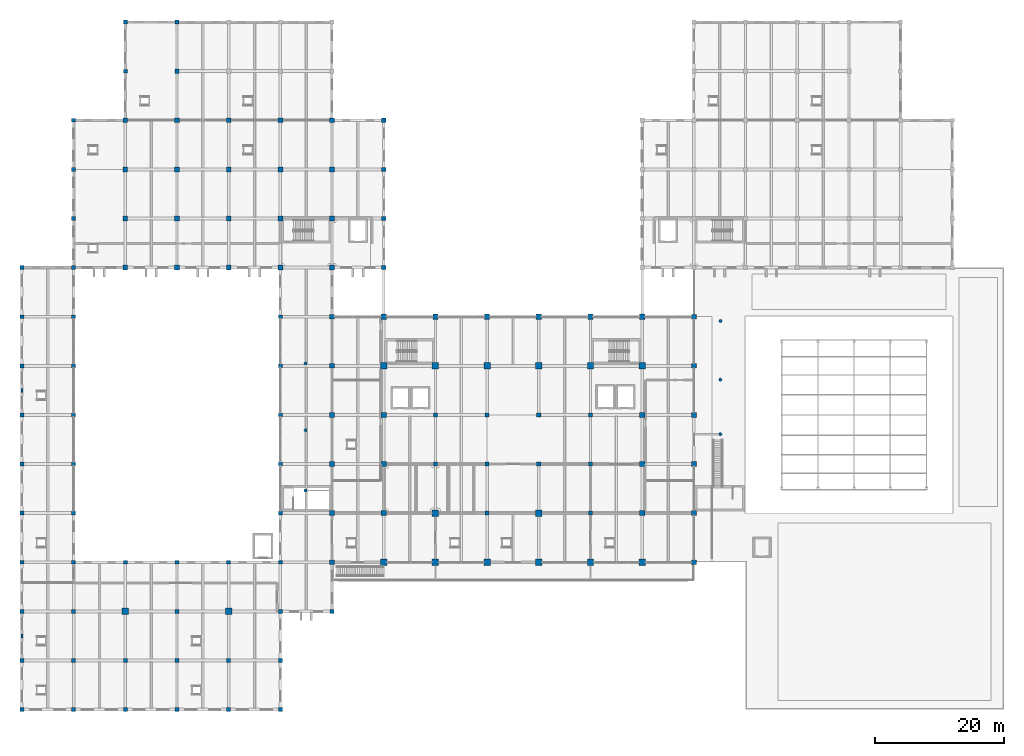
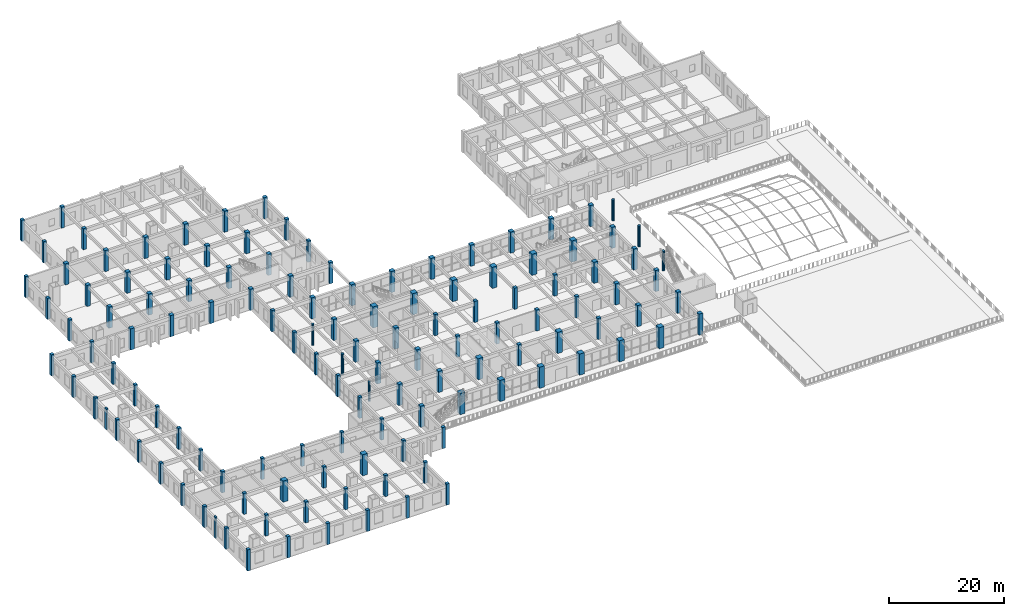
# One storey, part 1 of 79: 129 columns.
"""IFC4 building model written with IfcOpenShell, lengths in metres."""

import ifcopenshell
import ifcopenshell.guid

model = None  # the IFC model being written
_history = None  # IfcOwnerHistory: only IFC2X3 demands one
_inside = {}  # id of a spatial element -> (the spatial element, [elements in it])
_under = {}  # id of a project, library or spatial element -> (it, [spatial elements below it])
_declared = {}  # id of a project -> (the project, [libraries it declares])
_typed = {}  # id of a type object -> (the type object, [elements of that type])
_made_of = {}  # id of a material, layer set ... -> (it, [elements and type objects made of it])


def new_model(schema):
    """Start an empty IFC model of exactly this schema.

    Asked for "IFC4X3", IfcOpenShell would pick the latest addendum, in which some entities
    have other attributes; the version numbers below select the first issue.
    IFC2X3 requires an IfcOwnerHistory on every rooted entity: one is made here for all.
    """
    global model, _history
    if schema == "IFC4X3":
        model = ifcopenshell.file(schema_version=(4, 3, 0, 0))
    else:
        model = ifcopenshell.file(schema=schema)
    _inside.clear()
    _under.clear()
    _declared.clear()
    _typed.clear()
    _made_of.clear()
    _history = None
    if model.schema == "IFC2X3":
        org = make("IfcOrganization", Name="unknown")
        user = make(
            "IfcPersonAndOrganization",
            ThePerson=make("IfcPerson", FamilyName="unknown"),
            TheOrganization=org,
        )
        app = make(
            "IfcApplication",
            ApplicationDeveloper=org,
            Version="unknown",
            ApplicationFullName="unknown",
            ApplicationIdentifier="unknown",
        )
        _history = make(
            "IfcOwnerHistory",
            OwningUser=user,
            OwningApplication=app,
            ChangeAction="ADDED",
            CreationDate=0,
        )
    return model


def make(cls, **values):
    """One entity of the class cls with the attributes given. An attribute that is None is left unset."""
    return model.create_entity(
        cls, **{name: value for name, value in values.items() if value is not None}
    )


def rooted(cls, **values):
    """An entity with a GlobalId (a new one), such as an element, a storey or a relation."""
    return make(cls, GlobalId=ifcopenshell.guid.new(), OwnerHistory=_history, **values)


def si_unit(unit_type, name, prefix=None):
    """IfcSIUnit, for example si_unit("LENGTHUNIT", "METRE", prefix="MILLI")."""
    return make("IfcSIUnit", UnitType=unit_type, Prefix=prefix, Name=name)


def assignment(units):
    """IfcUnitAssignment: the units of a project."""
    return None if units is None else make("IfcUnitAssignment", Units=units)


def point(xyz):
    """IfcCartesianPoint."""
    return None if xyz is None else make("IfcCartesianPoint", Coordinates=xyz)


def direction(xyz):
    """IfcDirection."""
    return None if xyz is None else make("IfcDirection", DirectionRatios=xyz)


def frame(location, z_axis=None, x_axis=None):
    """IfcAxis2Placement3D, a coordinate frame: its origin and axes. An axis left out is left unset."""
    return make(
        "IfcAxis2Placement3D",
        Location=point(location),
        Axis=direction(z_axis),
        RefDirection=direction(x_axis),
    )


def frame_2d(location, x_axis=None):
    """IfcAxis2Placement2D, a coordinate frame in the plane: its origin and x axis."""
    return make(
        "IfcAxis2Placement2D", Location=point(location), RefDirection=direction(x_axis)
    )


def origin():
    """The frame at (0, 0, 0) with its axes left unset."""
    return frame((0.0, 0.0, 0.0))


def origin_2d():
    """The frame at (0, 0) in the plane with its x axis left unset."""
    return frame_2d((0.0, 0.0))


def place(relative_to, where):
    """IfcLocalPlacement: puts the frame where relative to a parent placement (None: the world)."""
    return make(
        "IfcLocalPlacement", PlacementRelTo=relative_to, RelativePlacement=where
    )


def context(
    kind, dimensions, precision=None, world=None, true_north=None, identifier=None
):
    """IfcGeometricRepresentationContext, for example the 3D "Model" context."""
    return make(
        "IfcGeometricRepresentationContext",
        ContextIdentifier=identifier,
        ContextType=kind,
        CoordinateSpaceDimension=dimensions,
        Precision=precision,
        WorldCoordinateSystem=world,
        TrueNorth=true_north,
    )


def subcontext(parent, identifier, kind, view, scale=None):
    """IfcGeometricRepresentationSubContext, for example "Body" below "Model"."""
    return make(
        "IfcGeometricRepresentationSubContext",
        ContextIdentifier=identifier,
        ContextType=kind,
        ParentContext=parent,
        TargetScale=scale,
        TargetView=view,
    )


def project(units=None, contexts=None):
    """IfcProject with its units and contexts."""
    return rooted(
        "IfcProject",
        Name="project",
        RepresentationContexts=contexts,
        UnitsInContext=assignment(units),
    )


def spatial(cls, under=None, at=None, **own):
    """A site, building, storey or space (cls), placed at a placement, below another one or the project."""
    s = rooted(cls, ObjectPlacement=at, **own)
    if under is not None:
        _under.setdefault(under.id(), (under, []))[1].append(s)
    return s


def profile(cls, at=None, kind="AREA", **sizes):
    """A parametric profile (cls). Its sizes go by their IFC names, for example OverallWidth=200.0."""
    return make(cls, ProfileType=kind, Position=at, **sizes)


def rectangle(**sizes):
    """IfcRectangleProfileDef."""
    return profile("IfcRectangleProfileDef", **sizes)


def circle(**sizes):
    """IfcCircleProfileDef."""
    return profile("IfcCircleProfileDef", **sizes)


def extrude(swept, where, along, depth):
    """IfcExtrudedAreaSolid: the profile swept, set in the frame where, extruded along a direction by depth."""
    return make(
        "IfcExtrudedAreaSolid",
        SweptArea=swept,
        Position=where,
        ExtrudedDirection=direction(along),
        Depth=depth,
    )


def shape(context_of_items, identifier, shape_type, items):
    """IfcShapeRepresentation: the items that make up one representation, for example the "Body"."""
    return make(
        "IfcShapeRepresentation",
        ContextOfItems=context_of_items,
        RepresentationIdentifier=identifier,
        RepresentationType=shape_type,
        Items=items,
    )


def material(Name=None, Category=None):
    """IfcMaterial."""
    return make("IfcMaterial", Name=Name, Category=Category)


def material_profile(
    of_material, cross_section, Name=None, Category=None, Priority=None
):
    """IfcMaterialProfile: a cross section and its material."""
    return make(
        "IfcMaterialProfile",
        Name=Name,
        Material=of_material,
        Profile=cross_section,
        Priority=Priority,
        Category=Category,
    )


def profile_set(profiles, Name=None, composite=None):
    """IfcMaterialProfileSet."""
    return make(
        "IfcMaterialProfileSet",
        Name=Name,
        MaterialProfiles=profiles,
        CompositeProfile=composite,
    )


def made_of(thing, what):
    """Note that an element or type object is made of a material, layer set ...; save() writes the relation."""
    if what is not None:
        _made_of.setdefault(what.id(), (what, []))[1].append(thing)
    return thing


def type_object(cls, material=None, **own):
    """A type object (cls), such as IfcWallType, which elements share."""
    return made_of(rooted(cls, **own), material)


def element(
    cls,
    number,
    at=None,
    inside=None,
    cuts=None,
    type_object=None,
    material=None,
    context=None,
    identifier="Body",
    shape_type=None,
    held_by="IfcProductDefinitionShape",
    body=None,
    shapes=None,
    **own,
):
    """One element of the class cls, such as IfcWall. Its Tag is "e" and its number.

    at: its placement. inside: the storey or other place that contains it. cuts: it is an
    opening in that element (IfcRelVoidsElement). A single representation is given by context,
    identifier, shape_type and body (its items); several are given by shapes. held_by: the class
    of the entity that holds the representations. save() writes the other relations.
    """
    e = rooted(cls, Tag="e%d" % number, ObjectPlacement=at, **own)
    if body is not None:
        shapes = [shape(context, identifier, shape_type, body)]
    if shapes is not None:
        e.Representation = make(held_by, Representations=shapes)
    if inside is not None:
        _inside.setdefault(inside.id(), (inside, []))[1].append(e)
    if cuts is not None:
        rooted(
            "IfcRelVoidsElement", RelatingBuildingElement=cuts, RelatedOpeningElement=e
        )
    if type_object is not None:
        _typed.setdefault(type_object.id(), (type_object, []))[1].append(e)
    return made_of(e, material)


def aggregate(whole, parts):
    """IfcRelAggregates: a whole, such as a stair, and the parts it consists of."""
    return rooted("IfcRelAggregates", RelatingObject=whole, RelatedObjects=parts)


def save(model, path):
    """Write the relations noted so far, then the file.

    IfcRelAggregates (storeys below a building ...), IfcRelContainedInSpatialStructure (elements
    in a storey), IfcRelDefinesByType, IfcRelAssociatesMaterial and IfcRelDeclares: one each for
    every whole, place, type object, material and project.
    """
    for whole, parts in _under.values():
        aggregate(whole, parts)
    for where, things in _inside.values():
        rooted(
            "IfcRelContainedInSpatialStructure",
            RelatedElements=things,
            RelatingStructure=where,
        )
    for kind, things in _typed.values():
        rooted("IfcRelDefinesByType", RelatedObjects=things, RelatingType=kind)
    for what, things in _made_of.values():
        rooted("IfcRelAssociatesMaterial", RelatedObjects=things, RelatingMaterial=what)
    for by, libraries in _declared.values():
        rooted("IfcRelDeclares", RelatingContext=by, RelatedDefinitions=libraries)
    model.write(path)


model = new_model("IFC4")

# Units and contexts
model_context = context("Model", 3, precision=1e-05, world=origin(), true_north=direction((0.0, 1.0)))
body_context = subcontext(model_context, "Body", "Model", "MODEL_VIEW")
ifc_project = project(units=[si_unit("LENGTHUNIT", "METRE"), si_unit("AREAUNIT", "SQUARE_METRE"), si_unit("VOLUMEUNIT", "CUBIC_METRE"), si_unit("PLANEANGLEUNIT", "RADIAN"), si_unit("MASSUNIT", "GRAM", prefix="KILO")], contexts=[model_context])

# Site, building, storey
site_placement = place(None, origin())
site = spatial("IfcSite", under=ifc_project, at=site_placement, CompositionType="ELEMENT")
building_placement = place(site_placement, origin())
building = spatial("IfcBuilding", under=site, at=building_placement, Name="Zantavel Square City Hall", CompositionType="ELEMENT")
storey_placement = place(building_placement, frame((0.0, 0.0, 10.199951171875)))
storey = spatial("IfcBuildingStorey", under=building, at=storey_placement, Name="L03", CompositionType="ELEMENT", Elevation=10.199951171875)

# Columns
ifc_material = material(Name="Concrete C40/50", Category="concrete")
ifc_material_profile_1 = material_profile(ifc_material, rectangle(XDim=0.60009765625, YDim=0.35009765625, at=origin_2d()), Name="RC 600x350")
ifc_profile_set_1 = profile_set([ifc_material_profile_1], Name="Concrete C40/50")
column_type_1 = type_object("IfcColumnType", Name="Colossal Facade Pilaster 600x350 C40/50", PredefinedType="PILASTER", material=ifc_profile_set_1)
for number, where, z_axis, x_axis, name in (
    (1, (8.0, 19.0, 0.0), (0.0, 0.0, 1.0), (0.0, 1.0, 0.0), "L03 Facade Pilaster PIL-L03-0080-0190"),
    (2, (8.0, 57.0, 0.0), (0.0, 0.0, 1.0), (0.0, 1.0, 0.0), "L03 Facade Pilaster PIL-L03-0080-0570"),
):
    element("IfcColumn", number, at=place(storey_placement, frame(where, z_axis=z_axis, x_axis=x_axis)), inside=storey, type_object=column_type_1, Name=name, PredefinedType="PILASTER", context=body_context, shape_type="SweptSolid", body=[
        extrude(rectangle(XDim=0.60009765625, YDim=0.35009765625, at=origin_2d()), origin(), (0.0, 0.0, 1.0), 4.5),
    ])
ifc_material_profile_2 = material_profile(ifc_material, rectangle(XDim=1.0, YDim=1.0, at=origin_2d()), Name="RC 1000x1000")
ifc_profile_set_2 = profile_set([ifc_material_profile_2], Name="Concrete C40/50")
column_type_2 = type_object("IfcColumnType", Name="Column RC 1000x1000 C40/50", PredefinedType="COLUMN", material=ifc_profile_set_2)
for number, where, z_axis, x_axis, name in (
    (3, (24.0, 22.800048828125, 0.0), (0.0, 0.0, 1.0), (1.0, 0.0, 0.0), "L03 Column COL-L03-0240-0228"),
    (4, (40.0, 22.800048828125, 0.0), (0.0, 0.0, 1.0), (1.0, 0.0, 0.0), "L03 Column COL-L03-0400-0228"),
    (5, (64.0, 30.39990234375, 0.0), (0.0, 0.0, 1.0), (1.0, 0.0, 0.0), "L03 Column COL-L03-0640-0304"),
    (6, (64.0, 60.800048828125, 0.0), (0.0, 0.0, 1.0), (1.0, 0.0, 0.0), "L03 Column COL-L03-0640-0608"),
    (7, (72.0, 30.39990234375, 0.0), (0.0, 0.0, 1.0), (1.0, 0.0, 0.0), "L03 Column COL-L03-0720-0304"),
    (8, (72.0, 38.0, 0.0), (0.0, 0.0, 1.0), (1.0, 0.0, 0.0), "L03 Column COL-L03-0720-0380"),
    (9, (72.0, 60.800048828125, 0.0), (0.0, 0.0, 1.0), (1.0, 0.0, 0.0), "L03 Column COL-L03-0720-0608"),
    (10, (80.0, 30.39990234375, 0.0), (0.0, 0.0, 1.0), (1.0, 0.0, 0.0), "L03 Column COL-L03-0800-0304"),
    (11, (80.0, 60.800048828125, 0.0), (0.0, 0.0, 1.0), (1.0, 0.0, 0.0), "L03 Column COL-L03-0800-0608"),
    (12, (88.0, 30.39990234375, 0.0), (0.0, 0.0, 1.0), (1.0, 0.0, 0.0), "L03 Column COL-L03-0880-0304"),
    (13, (88.0, 38.0, 0.0), (0.0, 0.0, 1.0), (1.0, 0.0, 0.0), "L03 Column COL-L03-0880-0380"),
    (14, (88.0, 60.800048828125, 0.0), (0.0, 0.0, 1.0), (1.0, 0.0, 0.0), "L03 Column COL-L03-0880-0608"),
    (15, (96.0, 30.39990234375, 0.0), (0.0, 0.0, 1.0), (1.0, 0.0, 0.0), "L03 Column COL-L03-0960-0304"),
    (16, (96.0, 60.800048828125, 0.0), (0.0, 0.0, 1.0), (1.0, 0.0, 0.0), "L03 Column COL-L03-0960-0608"),
    (17, (104.0, 30.39990234375, 0.0), (0.0, 0.0, 1.0), (1.0, 0.0, 0.0), "L03 Column COL-L03-1040-0304"),
    (18, (104.0, 60.800048828125, 0.0), (0.0, 0.0, 1.0), (1.0, 0.0, 0.0), "L03 Column COL-L03-1040-0608"),
):
    element("IfcColumn", number, at=place(storey_placement, frame(where, z_axis=z_axis, x_axis=x_axis)), inside=storey, type_object=column_type_2, Name=name, PredefinedType="COLUMN", context=body_context, shape_type="SweptSolid", body=[
        extrude(rectangle(XDim=1.0, YDim=1.0, at=origin_2d()), origin(), (0.0, 0.0, 1.0), 4.5),
    ])
ifc_material_profile_3 = material_profile(ifc_material, rectangle(XDim=0.60009765625, YDim=0.60009765625, at=origin_2d()), Name="RC 600x600")
ifc_profile_set_3 = profile_set([ifc_material_profile_3], Name="Concrete C40/50")
column_type_3 = type_object("IfcColumnType", Name="Column RC 600x600 C40/50", PredefinedType="COLUMN", material=ifc_profile_set_3)
for number, where, z_axis, x_axis, name in (
    (19, (8.0, 7.60009765625, 0.0), (0.0, 0.0, 1.0), (1.0, 0.0, 0.0), "L03 Column COL-L03-0080-0076"),
    (20, (8.0, 15.199951171875, 0.0), (0.0, 0.0, 1.0), (1.0, 0.0, 0.0), "L03 Column COL-L03-0080-0152"),
    (21, (8.0, 22.800048828125, 0.0), (0.0, 0.0, 1.0), (1.0, 0.0, 0.0), "L03 Column COL-L03-0080-0228"),
    (22, (8.0, 30.39990234375, 0.0), (0.0, 0.0, 1.0), (1.0, 0.0, 0.0), "L03 Column COL-L03-0080-0304"),
    (23, (8.0, 38.0, 0.0), (0.0, 0.0, 1.0), (1.0, 0.0, 0.0), "L03 Column COL-L03-0080-0380"),
    (24, (8.0, 45.60009765625, 0.0), (0.0, 0.0, 1.0), (1.0, 0.0, 0.0), "L03 Column COL-L03-0080-0456"),
    (25, (8.0, 53.199951171875, 0.0), (0.0, 0.0, 1.0), (1.0, 0.0, 0.0), "L03 Column COL-L03-0080-0532"),
    (26, (8.0, 60.800048828125, 0.0), (0.0, 0.0, 1.0), (1.0, 0.0, 0.0), "L03 Column COL-L03-0080-0608"),
    (27, (8.0, 68.39990234375, 0.0), (0.0, 0.0, 1.0), (1.0, 0.0, 0.0), "L03 Column COL-L03-0080-0684"),
    (28, (8.0, 76.0, 0.0), (0.0, 0.0, 1.0), (1.0, 0.0, 0.0), "L03 Column COL-L03-0080-0760"),
    (29, (16.0, 7.60009765625, 0.0), (0.0, 0.0, 1.0), (1.0, 0.0, 0.0), "L03 Column COL-L03-0160-0076"),
    (30, (16.0, 15.199951171875, 0.0), (0.0, 0.0, 1.0), (1.0, 0.0, 0.0), "L03 Column COL-L03-0160-0152"),
    (31, (16.0, 22.800048828125, 0.0), (0.0, 0.0, 1.0), (1.0, 0.0, 0.0), "L03 Column COL-L03-0160-0228"),
    (32, (16.0, 30.39990234375, 0.0), (0.0, 0.0, 1.0), (1.0, 0.0, 0.0), "L03 Column COL-L03-0160-0304"),
    (33, (16.0, 38.0, 0.0), (0.0, 0.0, 1.0), (1.0, 0.0, 0.0), "L03 Column COL-L03-0160-0380"),
    (34, (16.0, 45.60009765625, 0.0), (0.0, 0.0, 1.0), (1.0, 0.0, 0.0), "L03 Column COL-L03-0160-0456"),
    (35, (16.0, 53.199951171875, 0.0), (0.0, 0.0, 1.0), (1.0, 0.0, 0.0), "L03 Column COL-L03-0160-0532"),
    (36, (16.0, 60.800048828125, 0.0), (0.0, 0.0, 1.0), (1.0, 0.0, 0.0), "L03 Column COL-L03-0160-0608"),
    (37, (16.0, 68.39990234375, 0.0), (0.0, 0.0, 1.0), (1.0, 0.0, 0.0), "L03 Column COL-L03-0160-0684"),
    (38, (16.0, 76.0, 0.0), (0.0, 0.0, 1.0), (1.0, 0.0, 0.0), "L03 Column COL-L03-0160-0760"),
    (39, (16.0, 83.60009765625, 0.0), (0.0, 0.0, 1.0), (1.0, 0.0, 0.0), "L03 Column COL-L03-0160-0836"),
    (40, (16.0, 91.199951171875, 0.0), (0.0, 0.0, 1.0), (1.0, 0.0, 0.0), "L03 Column COL-L03-0160-0912"),
    (41, (16.0, 98.800048828125, 0.0), (0.0, 0.0, 1.0), (1.0, 0.0, 0.0), "L03 Column COL-L03-0160-0988"),
    (42, (24.0, 7.60009765625, 0.0), (0.0, 0.0, 1.0), (1.0, 0.0, 0.0), "L03 Column COL-L03-0240-0076"),
    (43, (24.0, 15.199951171875, 0.0), (0.0, 0.0, 1.0), (1.0, 0.0, 0.0), "L03 Column COL-L03-0240-0152"),
    (44, (24.0, 30.39990234375, 0.0), (0.0, 0.0, 1.0), (1.0, 0.0, 0.0), "L03 Column COL-L03-0240-0304"),
    (45, (24.0, 106.39990234375, 0.0), (0.0, 0.0, 1.0), (1.0, 0.0, 0.0), "L03 Column COL-L03-0240-1064"),
    (46, (24.0, 114.0, 0.0), (0.0, 0.0, 1.0), (1.0, 0.0, 0.0), "L03 Column COL-L03-0240-1140"),
    (47, (32.0, 7.60009765625, 0.0), (0.0, 0.0, 1.0), (1.0, 0.0, 0.0), "L03 Column COL-L03-0320-0076"),
    (48, (32.0, 15.199951171875, 0.0), (0.0, 0.0, 1.0), (1.0, 0.0, 0.0), "L03 Column COL-L03-0320-0152"),
    (49, (32.0, 22.800048828125, 0.0), (0.0, 0.0, 1.0), (1.0, 0.0, 0.0), "L03 Column COL-L03-0320-0228"),
    (50, (32.0, 30.39990234375, 0.0), (0.0, 0.0, 1.0), (1.0, 0.0, 0.0), "L03 Column COL-L03-0320-0304"),
    (51, (40.0, 7.60009765625, 0.0), (0.0, 0.0, 1.0), (1.0, 0.0, 0.0), "L03 Column COL-L03-0400-0076"),
    (52, (40.0, 15.199951171875, 0.0), (0.0, 0.0, 1.0), (1.0, 0.0, 0.0), "L03 Column COL-L03-0400-0152"),
    (53, (40.0, 30.39990234375, 0.0), (0.0, 0.0, 1.0), (1.0, 0.0, 0.0), "L03 Column COL-L03-0400-0304"),
    (54, (48.0, 7.60009765625, 0.0), (0.0, 0.0, 1.0), (1.0, 0.0, 0.0), "L03 Column COL-L03-0480-0076"),
    (55, (48.0, 15.199951171875, 0.0), (0.0, 0.0, 1.0), (1.0, 0.0, 0.0), "L03 Column COL-L03-0480-0152"),
    (56, (48.0, 22.800048828125, 0.0), (0.0, 0.0, 1.0), (1.0, 0.0, 0.0), "L03 Column COL-L03-0480-0228"),
    (57, (48.0, 30.39990234375, 0.0), (0.0, 0.0, 1.0), (1.0, 0.0, 0.0), "L03 Column COL-L03-0480-0304"),
    (58, (48.0, 38.0, 0.0), (0.0, 0.0, 1.0), (1.0, 0.0, 0.0), "L03 Column COL-L03-0480-0380"),
    (59, (48.0, 45.60009765625, 0.0), (0.0, 0.0, 1.0), (1.0, 0.0, 0.0), "L03 Column COL-L03-0480-0456"),
    (60, (48.0, 53.199951171875, 0.0), (0.0, 0.0, 1.0), (1.0, 0.0, 0.0), "L03 Column COL-L03-0480-0532"),
    (61, (48.0, 60.800048828125, 0.0), (0.0, 0.0, 1.0), (1.0, 0.0, 0.0), "L03 Column COL-L03-0480-0608"),
    (62, (48.0, 68.39990234375, 0.0), (0.0, 0.0, 1.0), (1.0, 0.0, 0.0), "L03 Column COL-L03-0480-0684"),
    (63, (56.0, 22.800048828125, 0.0), (0.0, 0.0, 1.0), (1.0, 0.0, 0.0), "L03 Column COL-L03-0560-0228"),
):
    element("IfcColumn", number, at=place(storey_placement, frame(where, z_axis=z_axis, x_axis=x_axis)), inside=storey, type_object=column_type_3, Name=name, PredefinedType="COLUMN", context=body_context, shape_type="SweptSolid", body=[
        extrude(rectangle(XDim=0.60009765625, YDim=0.60009765625, at=origin_2d()), origin(), (0.0, 0.0, 1.0), 4.5),
    ])
ifc_material_profile_4 = material_profile(ifc_material, rectangle(XDim=0.64990234375, YDim=0.64990234375, at=origin_2d()), Name="RC 650x650")
ifc_profile_set_4 = profile_set([ifc_material_profile_4], Name="Concrete C40/50")
column_type_4 = type_object("IfcColumnType", Name="Column RC 650x650 C40/50", PredefinedType="COLUMN", material=ifc_profile_set_4)
for number, where, z_axis, x_axis, name in (
    (64, (32.0, 106.39990234375, 0.0), (0.0, 0.0, 1.0), (1.0, 0.0, 0.0), "L03 Column COL-L03-0320-1064"),
    (65, (32.0, 114.0, 0.0), (0.0, 0.0, 1.0), (1.0, 0.0, 0.0), "L03 Column COL-L03-0320-1140"),
    (66, (64.0, 76.0, 0.0), (0.0, 0.0, 1.0), (1.0, 0.0, 0.0), "L03 Column COL-L03-0640-0760"),
    (67, (64.0, 83.60009765625, 0.0), (0.0, 0.0, 1.0), (1.0, 0.0, 0.0), "L03 Column COL-L03-0640-0836"),
    (68, (64.0, 91.199951171875, 0.0), (0.0, 0.0, 1.0), (1.0, 0.0, 0.0), "L03 Column COL-L03-0640-0912"),
    (69, (64.0, 98.800048828125, 0.0), (0.0, 0.0, 1.0), (1.0, 0.0, 0.0), "L03 Column COL-L03-0640-0988"),
    (70, (72.0, 45.60009765625, 0.0), (0.0, 0.0, 1.0), (1.0, 0.0, 0.0), "L03 Column COL-L03-0720-0456"),
    (71, (72.0, 53.199951171875, 0.0), (0.0, 0.0, 1.0), (1.0, 0.0, 0.0), "L03 Column COL-L03-0720-0532"),
    (72, (80.0, 38.0, 0.0), (0.0, 0.0, 1.0), (1.0, 0.0, 0.0), "L03 Column COL-L03-0800-0380"),
    (73, (80.0, 45.60009765625, 0.0), (0.0, 0.0, 1.0), (1.0, 0.0, 0.0), "L03 Column COL-L03-0800-0456"),
    (74, (80.0, 53.199951171875, 0.0), (0.0, 0.0, 1.0), (1.0, 0.0, 0.0), "L03 Column COL-L03-0800-0532"),
    (75, (88.0, 45.60009765625, 0.0), (0.0, 0.0, 1.0), (1.0, 0.0, 0.0), "L03 Column COL-L03-0880-0456"),
    (76, (88.0, 53.199951171875, 0.0), (0.0, 0.0, 1.0), (1.0, 0.0, 0.0), "L03 Column COL-L03-0880-0532"),
    (77, (96.0, 38.0, 0.0), (0.0, 0.0, 1.0), (1.0, 0.0, 0.0), "L03 Column COL-L03-0960-0380"),
    (78, (96.0, 45.60009765625, 0.0), (0.0, 0.0, 1.0), (1.0, 0.0, 0.0), "L03 Column COL-L03-0960-0456"),
    (79, (96.0, 53.199951171875, 0.0), (0.0, 0.0, 1.0), (1.0, 0.0, 0.0), "L03 Column COL-L03-0960-0532"),
):
    element("IfcColumn", number, at=place(storey_placement, frame(where, z_axis=z_axis, x_axis=x_axis)), inside=storey, type_object=column_type_4, Name=name, PredefinedType="COLUMN", context=body_context, shape_type="SweptSolid", body=[
        extrude(rectangle(XDim=0.64990234375, YDim=0.64990234375, at=origin_2d()), origin(), (0.0, 0.0, 1.0), 4.5),
    ])
ifc_material_profile_5 = material_profile(ifc_material, rectangle(XDim=0.75, YDim=0.75, at=origin_2d()), Name="RC 750x750")
ifc_profile_set_5 = profile_set([ifc_material_profile_5], Name="Concrete C40/50")
column_type_5 = type_object("IfcColumnType", Name="Column RC 750x750 C40/50", PredefinedType="COLUMN", material=ifc_profile_set_5)
for number, where, z_axis, x_axis, name in (
    (80, (24.0, 76.0, 0.0), (0.0, 0.0, 1.0), (1.0, 0.0, 0.0), "L03 Column COL-L03-0240-0760"),
    (81, (24.0, 83.60009765625, 0.0), (0.0, 0.0, 1.0), (1.0, 0.0, 0.0), "L03 Column COL-L03-0240-0836"),
    (82, (24.0, 91.199951171875, 0.0), (0.0, 0.0, 1.0), (1.0, 0.0, 0.0), "L03 Column COL-L03-0240-0912"),
    (83, (24.0, 98.800048828125, 0.0), (0.0, 0.0, 1.0), (1.0, 0.0, 0.0), "L03 Column COL-L03-0240-0988"),
    (84, (32.0, 76.0, 0.0), (0.0, 0.0, 1.0), (1.0, 0.0, 0.0), "L03 Column COL-L03-0320-0760"),
    (85, (32.0, 83.60009765625, 0.0), (0.0, 0.0, 1.0), (1.0, 0.0, 0.0), "L03 Column COL-L03-0320-0836"),
    (86, (32.0, 91.199951171875, 0.0), (0.0, 0.0, 1.0), (1.0, 0.0, 0.0), "L03 Column COL-L03-0320-0912"),
    (87, (32.0, 98.800048828125, 0.0), (0.0, 0.0, 1.0), (1.0, 0.0, 0.0), "L03 Column COL-L03-0320-0988"),
    (88, (40.0, 76.0, 0.0), (0.0, 0.0, 1.0), (1.0, 0.0, 0.0), "L03 Column COL-L03-0400-0760"),
    (89, (40.0, 83.60009765625, 0.0), (0.0, 0.0, 1.0), (1.0, 0.0, 0.0), "L03 Column COL-L03-0400-0836"),
    (90, (40.0, 91.199951171875, 0.0), (0.0, 0.0, 1.0), (1.0, 0.0, 0.0), "L03 Column COL-L03-0400-0912"),
    (91, (40.0, 98.800048828125, 0.0), (0.0, 0.0, 1.0), (1.0, 0.0, 0.0), "L03 Column COL-L03-0400-0988"),
    (92, (48.0, 76.0, 0.0), (0.0, 0.0, 1.0), (1.0, 0.0, 0.0), "L03 Column COL-L03-0480-0760"),
    (93, (48.0, 83.60009765625, 0.0), (0.0, 0.0, 1.0), (1.0, 0.0, 0.0), "L03 Column COL-L03-0480-0836"),
    (94, (48.0, 91.199951171875, 0.0), (0.0, 0.0, 1.0), (1.0, 0.0, 0.0), "L03 Column COL-L03-0480-0912"),
    (95, (48.0, 98.800048828125, 0.0), (0.0, 0.0, 1.0), (1.0, 0.0, 0.0), "L03 Column COL-L03-0480-0988"),
    (96, (56.0, 30.39990234375, 0.0), (0.0, 0.0, 1.0), (1.0, 0.0, 0.0), "L03 Column COL-L03-0560-0304"),
    (97, (56.0, 38.0, 0.0), (0.0, 0.0, 1.0), (1.0, 0.0, 0.0), "L03 Column COL-L03-0560-0380"),
    (98, (56.0, 45.60009765625, 0.0), (0.0, 0.0, 1.0), (1.0, 0.0, 0.0), "L03 Column COL-L03-0560-0456"),
    (99, (56.0, 53.199951171875, 0.0), (0.0, 0.0, 1.0), (1.0, 0.0, 0.0), "L03 Column COL-L03-0560-0532"),
    (100, (56.0, 60.800048828125, 0.0), (0.0, 0.0, 1.0), (1.0, 0.0, 0.0), "L03 Column COL-L03-0560-0608"),
    (101, (56.0, 68.39990234375, 0.0), (0.0, 0.0, 1.0), (1.0, 0.0, 0.0), "L03 Column COL-L03-0560-0684"),
    (102, (56.0, 76.0, 0.0), (0.0, 0.0, 1.0), (1.0, 0.0, 0.0), "L03 Column COL-L03-0560-0760"),
    (103, (56.0, 83.60009765625, 0.0), (0.0, 0.0, 1.0), (1.0, 0.0, 0.0), "L03 Column COL-L03-0560-0836"),
    (104, (56.0, 91.199951171875, 0.0), (0.0, 0.0, 1.0), (1.0, 0.0, 0.0), "L03 Column COL-L03-0560-0912"),
    (105, (56.0, 98.800048828125, 0.0), (0.0, 0.0, 1.0), (1.0, 0.0, 0.0), "L03 Column COL-L03-0560-0988"),
    (106, (112.0, 30.39990234375, 0.0), (0.0, 0.0, 1.0), (1.0, 0.0, 0.0), "L03 Column COL-L03-1120-0304"),
    (107, (112.0, 38.0, 0.0), (0.0, 0.0, 1.0), (1.0, 0.0, 0.0), "L03 Column COL-L03-1120-0380"),
    (108, (112.0, 45.60009765625, 0.0), (0.0, 0.0, 1.0), (1.0, 0.0, 0.0), "L03 Column COL-L03-1120-0456"),
    (109, (112.0, 53.199951171875, 0.0), (0.0, 0.0, 1.0), (1.0, 0.0, 0.0), "L03 Column COL-L03-1120-0532"),
    (110, (112.0, 60.800048828125, 0.0), (0.0, 0.0, 1.0), (1.0, 0.0, 0.0), "L03 Column COL-L03-1120-0608"),
    (111, (112.0, 68.39990234375, 0.0), (0.0, 0.0, 1.0), (1.0, 0.0, 0.0), "L03 Column COL-L03-1120-0684"),
):
    element("IfcColumn", number, at=place(storey_placement, frame(where, z_axis=z_axis, x_axis=x_axis)), inside=storey, type_object=column_type_5, Name=name, PredefinedType="COLUMN", context=body_context, shape_type="SweptSolid", body=[
        extrude(rectangle(XDim=0.75, YDim=0.75, at=origin_2d()), origin(), (0.0, 0.0, 1.0), 4.5),
    ])
ifc_material_profile_6 = material_profile(ifc_material, rectangle(XDim=0.800048828125, YDim=0.800048828125, at=origin_2d()), Name="RC 800x800")
ifc_profile_set_6 = profile_set([ifc_material_profile_6], Name="Concrete C40/50")
column_type_6 = type_object("IfcColumnType", Name="Column RC 800x800 C40/50", PredefinedType="COLUMN", material=ifc_profile_set_6)
for number, where, z_axis, x_axis, name in (
    (112, (64.0, 38.0, 0.0), (0.0, 0.0, 1.0), (1.0, 0.0, 0.0), "L03 Column COL-L03-0640-0380"),
    (113, (64.0, 45.60009765625, 0.0), (0.0, 0.0, 1.0), (1.0, 0.0, 0.0), "L03 Column COL-L03-0640-0456"),
    (114, (64.0, 53.199951171875, 0.0), (0.0, 0.0, 1.0), (1.0, 0.0, 0.0), "L03 Column COL-L03-0640-0532"),
    (115, (64.0, 68.39990234375, 0.0), (0.0, 0.0, 1.0), (1.0, 0.0, 0.0), "L03 Column COL-L03-0640-0684"),
    (116, (72.0, 68.39990234375, 0.0), (0.0, 0.0, 1.0), (1.0, 0.0, 0.0), "L03 Column COL-L03-0720-0684"),
    (117, (80.0, 68.39990234375, 0.0), (0.0, 0.0, 1.0), (1.0, 0.0, 0.0), "L03 Column COL-L03-0800-0684"),
    (118, (88.0, 68.39990234375, 0.0), (0.0, 0.0, 1.0), (1.0, 0.0, 0.0), "L03 Column COL-L03-0880-0684"),
    (119, (96.0, 68.39990234375, 0.0), (0.0, 0.0, 1.0), (1.0, 0.0, 0.0), "L03 Column COL-L03-0960-0684"),
    (120, (104.0, 38.0, 0.0), (0.0, 0.0, 1.0), (1.0, 0.0, 0.0), "L03 Column COL-L03-1040-0380"),
    (121, (104.0, 45.60009765625, 0.0), (0.0, 0.0, 1.0), (1.0, 0.0, 0.0), "L03 Column COL-L03-1040-0456"),
    (122, (104.0, 53.199951171875, 0.0), (0.0, 0.0, 1.0), (1.0, 0.0, 0.0), "L03 Column COL-L03-1040-0532"),
    (123, (104.0, 68.39990234375, 0.0), (0.0, 0.0, 1.0), (1.0, 0.0, 0.0), "L03 Column COL-L03-1040-0684"),
):
    element("IfcColumn", number, at=place(storey_placement, frame(where, z_axis=z_axis, x_axis=x_axis)), inside=storey, type_object=column_type_6, Name=name, PredefinedType="COLUMN", context=body_context, shape_type="SweptSolid", body=[
        extrude(rectangle(XDim=0.800048828125, YDim=0.800048828125, at=origin_2d()), origin(), (0.0, 0.0, 1.0), 4.5),
    ])
ifc_material_profile_7 = material_profile(ifc_material, circle(Radius=0.25, at=origin_2d()), Name="ROUND D500")
ifc_profile_set_7 = profile_set([ifc_material_profile_7], Name="Concrete C40/50")
column_type_7 = type_object("IfcColumnType", Name="Portico Canopy Classical Column D500 C40/50", PredefinedType="COLUMN", material=ifc_profile_set_7)
column_1_placement = place(storey_placement, frame((116.10009765625, 50.22509765625, 0.0), z_axis=(0.0, 0.0, 1.0), x_axis=(1.0, 0.0, 0.0)))
element("IfcColumn", 124, at=column_1_placement, inside=storey, type_object=column_type_7, Name="L03 Terrace Stair Loggia Column 1", PredefinedType="COLUMN", context=body_context, shape_type="SweptSolid", body=[
    extrude(circle(Radius=0.25, at=origin_2d()), origin(), (0.0, 0.0, 1.0), 4.219970703125),
])
for number, where, z_axis, x_axis, name in (
    (125, (116.10009765625, 58.659912109375, 0.0), (0.0, 0.0, 1.0), (1.0, 0.0, 0.0), "L03 Terrace Stair Loggia Column 2"),
    (126, (116.10009765625, 67.7451171875, 0.0), (0.0, 0.0, 1.0), (1.0, 0.0, 0.0), "L03 Terrace Stair Loggia Column 3"),
):
    element("IfcColumn", number, at=place(storey_placement, frame(where, z_axis=z_axis, x_axis=x_axis)), inside=storey, type_object=column_type_7, Name=name, PredefinedType="COLUMN", context=body_context, shape_type="SweptSolid", body=[
        extrude(circle(Radius=0.25, at=origin_2d()), origin(), (0.0, 0.0, 1.0), 4.5),
    ])
column_2_placement = place(storey_placement, frame((51.89990234375, 41.5, 0.0), z_axis=(0.0, 0.0, 1.0), x_axis=(1.0, 0.0, 0.0)))
element("IfcColumn", 127, at=column_2_placement, inside=storey, type_object=column_type_7, Name="L03 Terrace Stair Loggia Column 4", PredefinedType="COLUMN", context=body_context, shape_type="SweptSolid", body=[
    extrude(circle(Radius=0.25, at=origin_2d()), origin(), (0.0, 0.0, 1.0), 4.219970703125),
])
for number, where, z_axis, x_axis, name in (
    (128, (51.89990234375, 50.8349609375, 0.0), (0.0, 0.0, 1.0), (1.0, 0.0, 0.0), "L03 Terrace Stair Loggia Column 5"),
    (129, (51.89990234375, 61.169921875, 0.0), (0.0, 0.0, 1.0), (1.0, 0.0, 0.0), "L03 Terrace Stair Loggia Column 6"),
):
    element("IfcColumn", number, at=place(storey_placement, frame(where, z_axis=z_axis, x_axis=x_axis)), inside=storey, type_object=column_type_7, Name=name, PredefinedType="COLUMN", context=body_context, shape_type="SweptSolid", body=[
        extrude(circle(Radius=0.25, at=origin_2d()), origin(), (0.0, 0.0, 1.0), 4.5),
    ])

save(model, "model.ifc")
